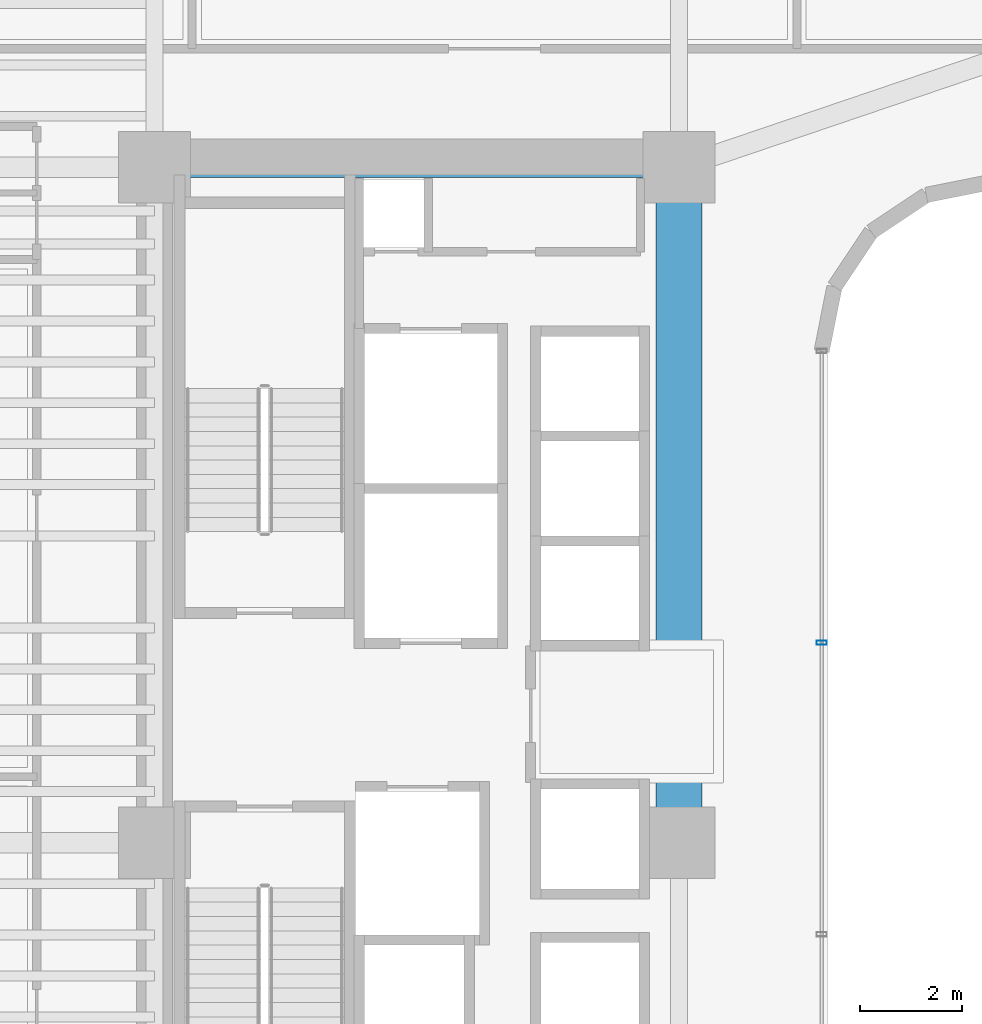
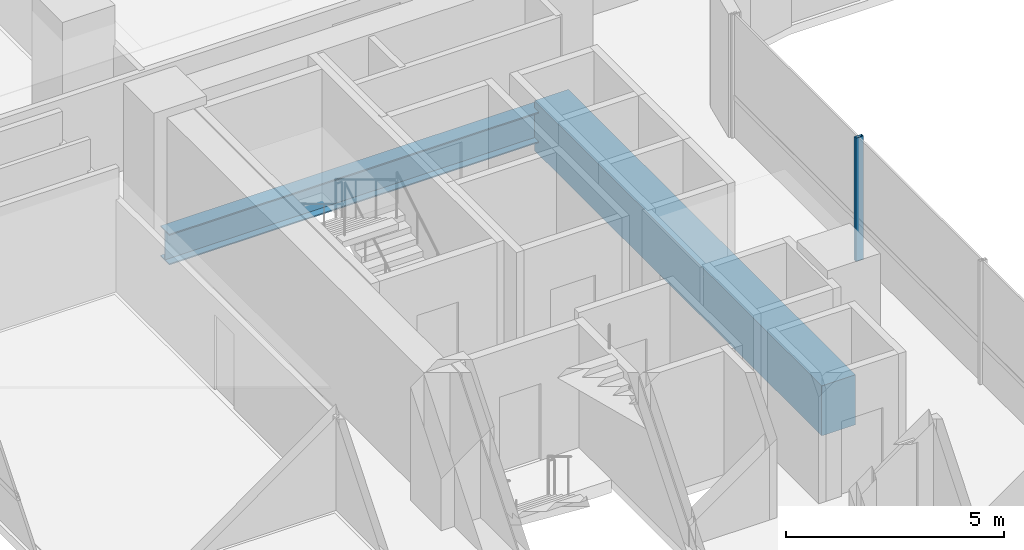
# One storey, part 12 of 40: 2 beams, 1 member, 1 element without a shape of its own.
"""IFC4 building model written with IfcOpenShell, lengths in metres."""

from ifc_helpers import new_model, si_unit, direction, frame, origin, origin_2d, place, context, subcontext, project, spatial, rectangle, hollow_rectangle, i_section, extrude, source, transform, mapped, material, material_profile, profile_set, type_object, element, aggregate, save


model = new_model("IFC4")

# Units and contexts
model_context = context("Model", 3, precision=1e-05, world=origin(), true_north=direction((0.0, 1.0)))
body_context = subcontext(model_context, "Body", "Model", "MODEL_VIEW")
ifc_project = project(units=[si_unit("LENGTHUNIT", "METRE"), si_unit("AREAUNIT", "SQUARE_METRE"), si_unit("VOLUMEUNIT", "CUBIC_METRE"), si_unit("PLANEANGLEUNIT", "RADIAN"), si_unit("MASSUNIT", "GRAM", prefix="KILO")], contexts=[model_context])

# Site, building, storey
site_placement = place(None, origin())
site = spatial("IfcSite", under=ifc_project, at=site_placement, CompositionType="ELEMENT")
building_placement = place(site_placement, origin())
building = spatial("IfcBuilding", under=site, at=building_placement, Name="Valdorenza Pilgrim Sanctuary Tower", CompositionType="ELEMENT")
storey_placement = place(building_placement, frame((0.0, 0.0, 51.89990234375)))
storey = spatial("IfcBuildingStorey", under=building, at=storey_placement, Name="L12", CompositionType="ELEMENT", Elevation=51.89990234375)

# Beams
ifc_material_1 = material(Name="Concrete C60/75", Category="concrete")
ifc_material_profile_1 = material_profile(ifc_material_1, rectangle(XDim=0.89990234375, YDim=1.39990234375, at=origin_2d()), Name="RC 1400x900")
ifc_profile_set_1 = profile_set([ifc_material_profile_1], Name="Concrete C60/75")
beam_type_1 = type_object("IfcBeamType", Name="STR-BM-LNT-1400", PredefinedType="LINTEL", material=ifc_profile_set_1)
shared_shape_1 = source(origin(), body_context, "Body", "SweptSolid", [
    extrude(rectangle(XDim=0.89990234375, YDim=1.39990234375, at=origin_2d()), origin(), (0.0, 0.0, 1.0), 13.2001953125),
])
beam_1_placement = place(storey_placement, frame((-12.39990234375, -2.60009765625, -0.739990234375), z_axis=(0.0, 1.0, 0.0), x_axis=(-1.0, 0.0, 0.0)))
element("IfcBeam", 1, at=beam_1_placement, inside=storey, type_object=beam_type_1, Name="L12 Core A Coupling Lintel Girder", PredefinedType="LINTEL", context=body_context, shape_type="MappedRepresentation", body=[
    mapped(shared_shape_1, transform((0.0, 0.0, 0.0), x_axis=(1.0, 0.0, 0.0), y_axis=(0.0, 1.0, 0.0), z_axis=(0.0, 0.0, 1.0), scale=1.0)),
])
ifc_material_2 = material(Name="Steel ASTM A992 Grade 50", Category="steel")
ifc_material_profile_2 = material_profile(ifc_material_2, i_section(OverallWidth=0.39990234375, OverallDepth=0.862060546875, WebThickness=0.019775390625, FlangeThickness=0.032470703125, at=origin_2d()), Name="W33X221")
ifc_profile_set_2 = profile_set([ifc_material_profile_2], Name="Steel ASTM A992 Grade 50")
beam_type_2 = type_object("IfcBeamType", Name="STR-BM-GRD-W33", PredefinedType="BEAM", material=ifc_profile_set_2)
shared_shape_2 = source(origin(), body_context, "Body", "SweptSolid", [
    extrude(i_section(OverallWidth=0.39990234375, OverallDepth=0.862060546875, WebThickness=0.019775390625, FlangeThickness=0.032470703125, at=origin_2d()), origin(), (0.0, 0.0, 1.0), 10.25),
])
beam_2_placement = place(storey_placement, frame((-22.64990234375, 10.60009765625, -0.6708984375), z_axis=(1.0, 0.0, 0.0), x_axis=(0.0, 1.0, 0.0)))
element("IfcBeam", 2, at=beam_2_placement, inside=storey, type_object=beam_type_2, Name="L12 Floor Girder CA-XC-N1", PredefinedType="BEAM", context=body_context, shape_type="MappedRepresentation", body=[
    mapped(shared_shape_2, transform((0.0, 0.0, 0.0), x_axis=(1.0, 0.0, 0.0), y_axis=(0.0, 1.0, 0.0), z_axis=(0.0, 0.0, 1.0), scale=1.0)),
])

# Curtain wall, member
ifc_material_3 = material(Name="Curtain-wall IGU glazing", Category="glass")
curtain_wall_type = type_object("IfcCurtainWallType", Name="CW-SYS-02", PredefinedType="NOTDEFINED", material=ifc_material_3)
curtain_wall_placement = place(storey_placement, origin())
curtain_wall = element("IfcCurtainWall", 3, at=curtain_wall_placement, inside=storey, type_object=curtain_wall_type, Name="L12 Curtain Wall CW-L12-1-41", PredefinedType="NOTDEFINED")
ifc_material_4 = material(Name="Anodised aluminium AW-6060", Category="aluminium")
ifc_material_profile_3 = material_profile(ifc_material_4, hollow_rectangle(XDim=0.0849609375, YDim=0.199951171875, WallThickness=0.0048828125, at=origin_2d()), Name="ALU-M 200x85x5")
ifc_profile_set_3 = profile_set([ifc_material_profile_3], Name="Anodised aluminium AW-6060")
member_type = type_object("IfcMemberType", Name="CW-MUL-02", PredefinedType="MULLION", material=ifc_profile_set_3)
shared_shape_3 = source(origin(), body_context, "Body", "SweptSolid", [
    extrude(hollow_rectangle(XDim=0.0849609375, YDim=0.199951171875, WallThickness=0.0048828125, at=origin_2d()), origin(), (0.0, 0.0, 1.0), 3.460205078125),
])
member_placement = place(storey_placement, frame((-9.610107421875, 1.310791015625, 0.0), z_axis=(0.0, 0.0, 1.0), x_axis=(0.0, -1.0, 0.0)))
member = element("IfcMember", 4, at=member_placement, type_object=member_type, Name="CW-L12-1-41 Mullion 2", PredefinedType="MULLION", context=body_context, shape_type="MappedRepresentation", body=[
    mapped(shared_shape_3, transform((0.0, 0.0, 0.0), x_axis=(1.0, 0.0, 0.0), y_axis=(0.0, 1.0, 0.0), z_axis=(0.0, 0.0, 1.0), scale=1.0)),
])
aggregate(curtain_wall, [member])

save(model, "model.ifc")
